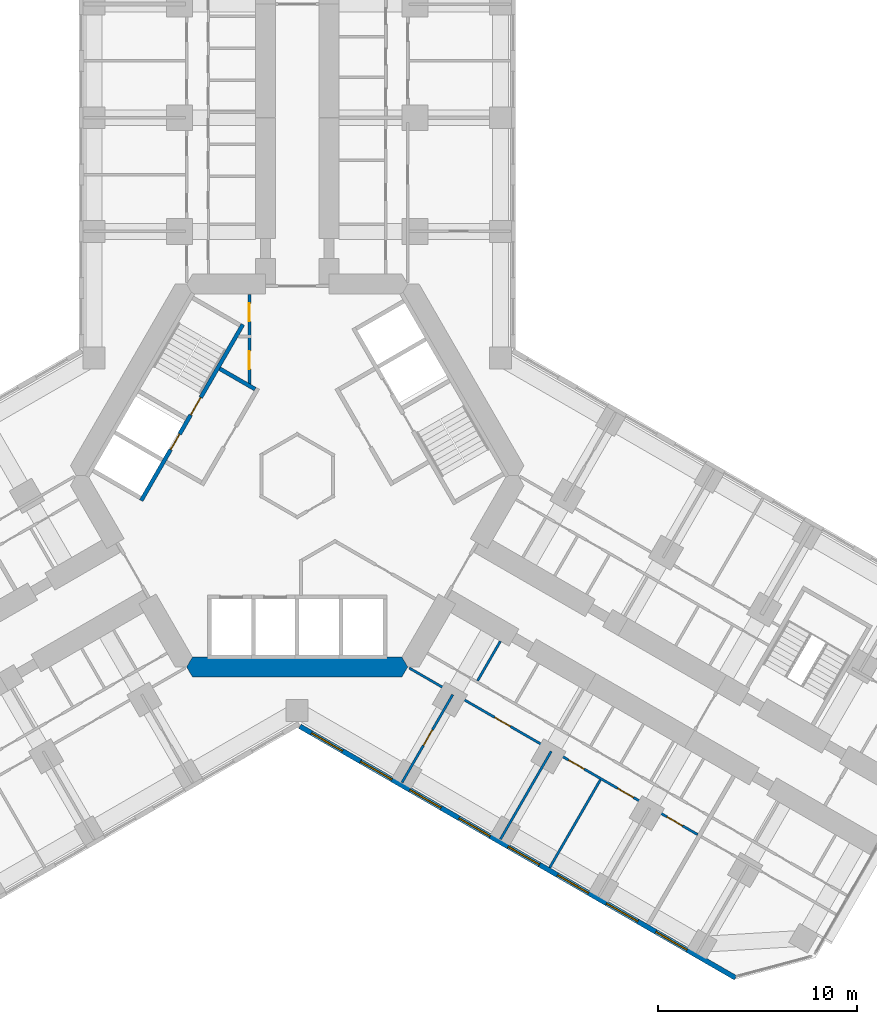
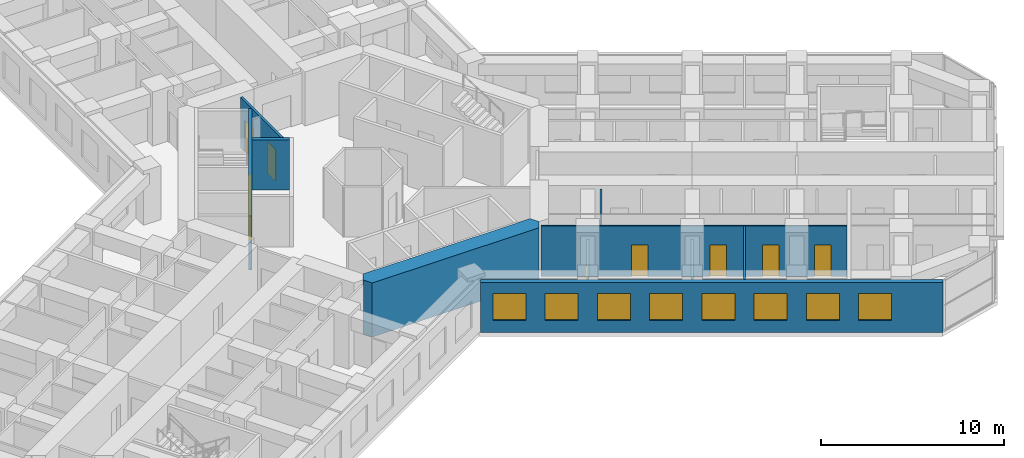
# One storey, part 13 of 21: 10 walls, 9 doors, 8 windows, 17 openings.
"""IFC4 building model written with IfcOpenShell, lengths in metres."""

from ifc_helpers import new_model, si_unit, direction, frame, frame_2d, origin, place, context, subcontext, project, spatial, polyline, rectangle, outline, extrude, material, layer, layer_set, type_object, element, fill, save


model = new_model("IFC4")

# Units and contexts
model_context = context("Model", 3, precision=1e-05, world=origin(), true_north=direction((0.0, 1.0)))
body_context = subcontext(model_context, "Body", "Model", "MODEL_VIEW")
ifc_project = project(units=[si_unit("LENGTHUNIT", "METRE"), si_unit("AREAUNIT", "SQUARE_METRE"), si_unit("VOLUMEUNIT", "CUBIC_METRE"), si_unit("PLANEANGLEUNIT", "RADIAN"), si_unit("MASSUNIT", "GRAM", prefix="KILO")], contexts=[model_context])

# Site, building, storey
site_placement = place(None, origin())
site = spatial("IfcSite", under=ifc_project, at=site_placement, CompositionType="ELEMENT")
building_placement = place(site_placement, origin())
building = spatial("IfcBuilding", under=site, at=building_placement, Name="Kosmar Iwan School Tower", CompositionType="ELEMENT")
storey_placement = place(building_placement, frame((0.0, 0.0, 43.0)))
storey = spatial("IfcBuildingStorey", under=building, at=storey_placement, Name="L09", CompositionType="ELEMENT", Elevation=43.0)

# Wall, openings, doors
ifc_material_1 = material(Name="Gypsum board on steel studs, fire-rated", Category="steel")
ifc_layer_1 = layer(ifc_material_1, 0.14990234375)
ifc_layer_set_1 = layer_set([ifc_layer_1], Name="Core room partition 150")
wall_type_1 = type_object("IfcWallType", Name="Core room partition 150", PredefinedType="PARTITIONING", material=ifc_layer_set_1)
wall_1_placement = place(storey_placement, frame((-2.39990234375, 9.094970703125, 0.0), z_axis=(0.0, 0.0, 1.0), x_axis=(0.0, -1.0, 0.0)))
wall_1 = element("IfcWall", 1, at=wall_1_placement, inside=storey, type_object=wall_type_1, Name="Core room partition L09-CW1", PredefinedType="PARTITIONING", context=body_context, shape_type="SweptSolid", body=[
    extrude(rectangle(XDim=4.564208984375, YDim=0.14990234375, at=frame_2d((2.2822265625, 0.0))), origin(), (0.0, 0.0, 1.0), 3.35009765625),
])
opening_1_placement = place(wall_1_placement, frame((0.455078125, 0.0, 0.0)))
opening_1 = element("IfcOpeningElement", 2, at=opening_1_placement, cuts=wall_1, Name="Opening D14", PredefinedType="OPENING", context=body_context, shape_type="SweptSolid", body=[
    extrude(rectangle(XDim=0.89990234375, YDim=2.10009765625, at=frame_2d((0.449951171875, 1.050048828125))), frame((0.0, 0.0869140625, 0.0), z_axis=(0.0, -1.0, 0.0), x_axis=(1.0, 0.0, 0.0)), (0.0, 0.0, 1.0), 0.173828125),
])
opening_2_placement = place(wall_1_placement, frame((2.85498046875, 0.0, 0.0)))
opening_2 = element("IfcOpeningElement", 3, at=opening_2_placement, cuts=wall_1, Name="Opening D14", PredefinedType="OPENING", context=body_context, shape_type="SweptSolid", body=[
    extrude(rectangle(XDim=0.89990234375, YDim=2.10009765625, at=frame_2d((0.449951171875, 1.050048828125))), frame((0.0, 0.0869140625, 0.0), z_axis=(0.0, -1.0, 0.0), x_axis=(1.0, 0.0, 0.0)), (0.0, 0.0, 1.0), 0.173828125),
])
ifc_material_2 = material(Name="Timber fire door in steel frame", Category="steel")
door_type_1 = type_object("IfcDoorType", Name="Core room door 900x2100", OperationType="SINGLE_SWING_LEFT", PredefinedType="DOOR", material=ifc_material_2)
door_1_placement = place(opening_1_placement, origin())
door_1 = element("IfcDoor", 4, at=door_1_placement, inside=storey, type_object=door_type_1, Name="Electrical riser and switch room door L09 1", OperationType="SINGLE_SWING_LEFT", OverallHeight=2.10009765625, OverallWidth=0.89990234375, PredefinedType="DOOR", context=body_context, shape_type="SweptSolid", body=[
    extrude(rectangle(XDim=0.89990234375, YDim=2.10009765625, at=frame_2d((0.449951171875, 1.050048828125))), frame((0.0, 0.02490234375, 0.0), z_axis=(0.0, -1.0, 0.0), x_axis=(1.0, 0.0, 0.0)), (0.0, 0.0, 1.0), 0.050048828125),
])
fill(opening_1, door_1)
door_2_placement = place(opening_2_placement, origin())
door_2 = element("IfcDoor", 5, at=door_2_placement, inside=storey, type_object=door_type_1, Name="Plumbing and wet riser door L09 2", OperationType="SINGLE_SWING_RIGHT", OverallHeight=2.10009765625, OverallWidth=0.89990234375, PredefinedType="DOOR", context=body_context, shape_type="SweptSolid", body=[
    extrude(rectangle(XDim=0.89990234375, YDim=2.10009765625, at=frame_2d((0.449951171875, 1.050048828125))), frame((0.0, 0.02490234375, 0.0), z_axis=(0.0, -1.0, 0.0), x_axis=(1.0, 0.0, 0.0)), (0.0, 0.0, 1.0), 0.050048828125),
])
fill(opening_2, door_2)

# Wall
ifc_material_3 = material(Name="Concrete C50/60", Category="concrete")
ifc_layer_2 = layer(ifc_material_3, 1.0)
ifc_layer_set_2 = layer_set([ifc_layer_2], Name="Core wall 1000")
wall_type_2 = type_object("IfcWallType", Name="Core wall 1000", PredefinedType="SHEAR", material=ifc_layer_set_2)
wall_2_placement = place(storey_placement, origin())
element("IfcWall", 6, at=wall_2_placement, inside=storey, type_object=wall_type_2, Name="Core wall F270", PredefinedType="SHEAR", context=body_context, shape_type="SweptSolid", body=[
    extrude(outline(polyline([(-5.25390625, -10.10009765625), (5.25390625, -10.10009765625), (5.54248046875, -9.60009765625), (5.25390625, -9.10009765625), (-5.25390625, -9.10009765625), (-5.54248046875, -9.60009765625), (-5.25390625, -10.10009765625)])), origin(), (0.0, 0.0, 1.0), 3.60009765625),
])

# Wall, openings, doors
ifc_material_4 = material(Name="Gypsum board on steel studs", Category="steel")
ifc_layer_3 = layer(ifc_material_4, 0.1201171875)
ifc_layer_set_3 = layer_set([ifc_layer_3], Name="Dwelling partition 120")
wall_type_3 = type_object("IfcWallType", Name="Dwelling partition 120", PredefinedType="PARTITIONING", material=ifc_layer_set_3)
wall_3_placement = place(storey_placement, frame((5.61767578125, -9.65185546875, 0.0), z_axis=(0.0, 0.0, 1.0), x_axis=(0.866026212391, -0.49999859945, 0.0)))
wall_3 = element("IfcWall", 7, at=wall_3_placement, inside=storey, type_object=wall_type_3, Name="Partition L09-CR1-W2", PredefinedType="PARTITIONING", context=body_context, shape_type="SweptSolid", body=[
    extrude(rectangle(XDim=16.708984375, YDim=0.1201171875, at=frame_2d((8.3544921875, 0.0))), origin(), (0.0, 0.0, 1.0), 3.35009765625),
])
opening_3_placement = place(wall_3_placement, frame((4.958984375, 0.0, 0.0)))
opening_3 = element("IfcOpeningElement", 8, at=opening_3_placement, cuts=wall_3, Name="Opening D2", PredefinedType="OPENING", context=body_context, shape_type="SweptSolid", body=[
    extrude(rectangle(XDim=0.89990234375, YDim=2.10009765625, at=frame_2d((0.449951171875, 1.050048828125))), frame((0.0, 0.072021484375, 0.0), z_axis=(0.0, -1.0, 0.0), x_axis=(1.0, 0.0, 0.0)), (0.0, 0.0, 1.0), 0.14404296875),
])
opening_4_placement = place(wall_3_placement, frame((9.23388671875, 0.0, 0.0)))
opening_4 = element("IfcOpeningElement", 9, at=opening_4_placement, cuts=wall_3, Name="Opening D2", PredefinedType="OPENING", context=body_context, shape_type="SweptSolid", body=[
    extrude(rectangle(XDim=0.89990234375, YDim=2.10009765625, at=frame_2d((0.449951171875, 1.050048828125))), frame((0.0, 0.072021484375, 0.0), z_axis=(0.0, -1.0, 0.0), x_axis=(1.0, 0.0, 0.0)), (0.0, 0.0, 1.0), 0.14404296875),
])
opening_5_placement = place(wall_3_placement, frame((12.083984375, 0.0, 0.0)))
opening_5 = element("IfcOpeningElement", 10, at=opening_5_placement, cuts=wall_3, Name="Opening D2", PredefinedType="OPENING", context=body_context, shape_type="SweptSolid", body=[
    extrude(rectangle(XDim=0.89990234375, YDim=2.10009765625, at=frame_2d((0.449951171875, 1.050048828125))), frame((0.0, 0.072021484375, 0.0), z_axis=(0.0, -1.0, 0.0), x_axis=(1.0, 0.0, 0.0)), (0.0, 0.0, 1.0), 0.14404296875),
])
opening_6_placement = place(wall_3_placement, frame((14.93408203125, 0.0, 0.0)))
opening_6 = element("IfcOpeningElement", 11, at=opening_6_placement, cuts=wall_3, Name="Opening D2", PredefinedType="OPENING", context=body_context, shape_type="SweptSolid", body=[
    extrude(rectangle(XDim=0.89990234375, YDim=2.10009765625, at=frame_2d((0.449951171875, 1.050048828125))), frame((0.0, 0.072021484375, 0.0), z_axis=(0.0, -1.0, 0.0), x_axis=(1.0, 0.0, 0.0)), (0.0, 0.0, 1.0), 0.14404296875),
])
ifc_material_5 = material(Name="Timber door in timber frame", Category="wood")
door_type_2 = type_object("IfcDoorType", Name="Internal door 900x2100", OperationType="SINGLE_SWING_LEFT", PredefinedType="DOOR", material=ifc_material_5)
door_3_placement = place(opening_3_placement, origin())
door_3 = element("IfcDoor", 12, at=door_3_placement, inside=storey, type_object=door_type_2, Name="Living room door L09-CR1-F2", OperationType="SINGLE_SWING_LEFT", OverallHeight=2.10009765625, OverallWidth=0.89990234375, PredefinedType="DOOR", context=body_context, shape_type="SweptSolid", body=[
    extrude(rectangle(XDim=0.89990234375, YDim=2.10009765625, at=frame_2d((0.449951171875, 1.050048828125))), frame((0.0, 0.02490234375, 0.0), z_axis=(0.0, -1.0, 0.0), x_axis=(1.0, 0.0, 0.0)), (0.0, 0.0, 1.0), 0.050048828125),
])
fill(opening_3, door_3)
door_4_placement = place(opening_4_placement, origin())
door_4 = element("IfcDoor", 13, at=door_4_placement, inside=storey, type_object=door_type_2, Name="Study door L09-CR1-F3", OperationType="SINGLE_SWING_RIGHT", OverallHeight=2.10009765625, OverallWidth=0.89990234375, PredefinedType="DOOR", context=body_context, shape_type="SweptSolid", body=[
    extrude(rectangle(XDim=0.89990234375, YDim=2.10009765625, at=frame_2d((0.449951171875, 1.050048828125))), frame((0.0, 0.02490234375, 0.0), z_axis=(0.0, -1.0, 0.0), x_axis=(1.0, 0.0, 0.0)), (0.0, 0.0, 1.0), 0.050048828125),
])
fill(opening_4, door_4)
door_5_placement = place(opening_5_placement, origin())
door_5 = element("IfcDoor", 14, at=door_5_placement, inside=storey, type_object=door_type_2, Name="Bedroom 1 door L09-CR1-F4", OperationType="SINGLE_SWING_RIGHT", OverallHeight=2.10009765625, OverallWidth=0.89990234375, PredefinedType="DOOR", context=body_context, shape_type="SweptSolid", body=[
    extrude(rectangle(XDim=0.89990234375, YDim=2.10009765625, at=frame_2d((0.449951171875, 1.050048828125))), frame((0.0, 0.02490234375, 0.0), z_axis=(0.0, -1.0, 0.0), x_axis=(1.0, 0.0, 0.0)), (0.0, 0.0, 1.0), 0.050048828125),
])
fill(opening_5, door_5)
door_6_placement = place(opening_6_placement, origin())
door_6 = element("IfcDoor", 15, at=door_6_placement, inside=storey, type_object=door_type_2, Name="Bedroom 2 door L09-CR1-F5", OperationType="SINGLE_SWING_RIGHT", OverallHeight=2.10009765625, OverallWidth=0.89990234375, PredefinedType="DOOR", context=body_context, shape_type="SweptSolid", body=[
    extrude(rectangle(XDim=0.89990234375, YDim=2.10009765625, at=frame_2d((0.449951171875, 1.050048828125))), frame((0.0, 0.02490234375, 0.0), z_axis=(0.0, -1.0, 0.0), x_axis=(1.0, 0.0, 0.0)), (0.0, 0.0, 1.0), 0.050048828125),
])
fill(opening_6, door_6)

# Wall, opening, door
wall_4_placement = place(storey_placement, frame((7.8037109375, -10.9833984375, 0.0), z_axis=(0.0, 0.0, 1.0), x_axis=(-0.499997873537, -0.866026631495, 0.0)))
wall_4 = element("IfcWall", 16, at=wall_4_placement, inside=storey, type_object=wall_type_3, Name="Partition L09-CR1-X1", PredefinedType="PARTITIONING", context=body_context, shape_type="SweptSolid", body=[
    extrude(rectangle(XDim=5.08984375, YDim=0.1201171875, at=frame_2d((2.544921875, 0.0))), origin(), (0.0, 0.0, 1.0), 2.449951171875),
])
opening_7_placement = place(wall_4_placement, frame((2.0400390625, 0.0, 0.0)))
opening_7 = element("IfcOpeningElement", 17, at=opening_7_placement, cuts=wall_4, Name="Opening D2", PredefinedType="OPENING", context=body_context, shape_type="SweptSolid", body=[
    extrude(rectangle(XDim=0.89990234375, YDim=2.10009765625, at=frame_2d((0.449951171875, 1.050048828125))), frame((0.0, 0.072021484375, 0.0), z_axis=(0.0, -1.0, 0.0), x_axis=(1.0, 0.0, 0.0)), (0.0, 0.0, 1.0), 0.14404296875),
])
door_7_placement = place(opening_7_placement, origin())
door_7 = element("IfcDoor", 18, at=door_7_placement, inside=storey, type_object=door_type_2, Name="Kitchen and dining room door L09-CR1-F1", OperationType="SINGLE_SWING_LEFT", OverallHeight=2.10009765625, OverallWidth=0.89990234375, PredefinedType="DOOR", context=body_context, shape_type="SweptSolid", body=[
    extrude(rectangle(XDim=0.89990234375, YDim=2.10009765625, at=frame_2d((0.449951171875, 1.050048828125))), frame((0.0, 0.02490234375, 0.0), z_axis=(0.0, -1.0, 0.0), x_axis=(1.0, 0.0, 0.0)), (0.0, 0.0, 1.0), 0.050048828125),
])
fill(opening_7, door_7)

# Walls
wall_5_placement = place(storey_placement, frame((12.740234375, -13.83349609375, 0.0), z_axis=(0.0, 0.0, 1.0), x_axis=(-0.500033846865, -0.866005861406, 0.0)))
element("IfcWall", 19, at=wall_5_placement, inside=storey, type_object=wall_type_3, Name="Partition L09-CR1-X2", PredefinedType="PARTITIONING", context=body_context, shape_type="SweptSolid", body=[
    extrude(rectangle(XDim=5.090087890625, YDim=0.1201171875, at=frame_2d((2.544921875, 0.0))), origin(), (0.0, 0.0, 1.0), 2.449951171875),
])
wall_6_placement = place(storey_placement, frame((15.208251953125, -15.25830078125, 0.0), z_axis=(0.0, 0.0, 1.0), x_axis=(-0.499977104415, -0.866038622153, 0.0)))
element("IfcWall", 20, at=wall_6_placement, inside=storey, type_object=wall_type_3, Name="Partition L09-CR1-X3", PredefinedType="PARTITIONING", context=body_context, shape_type="SweptSolid", body=[
    extrude(rectangle(XDim=5.090087890625, YDim=0.1201171875, at=frame_2d((2.544921875, 0.0))), origin(), (0.0, 0.0, 1.0), 3.35009765625),
])
wall_7_placement = place(storey_placement, frame((10.19091796875, -8.30859375, 0.0), z_axis=(0.0, 0.0, 1.0), x_axis=(-0.500014693593, -0.866016920268, 0.0)))
element("IfcWall", 21, at=wall_7_placement, inside=storey, type_object=wall_type_3, Name="Partition L09-CR1-Y1", PredefinedType="PARTITIONING", context=body_context, shape_type="SweptSolid", body=[
    extrude(rectangle(XDim=2.2900390625, YDim=0.1201171875, at=frame_2d((1.14501953125, 0.0))), origin(), (0.0, 0.0, 1.0), 3.35009765625),
])

# Wall, openings, windows
ifc_material_6 = material(Name="Black aluminium rainscreen on insulated framing", Category="aluminium")
ifc_layer_4 = layer(ifc_material_6, 0.25)
ifc_layer_set_4 = layer_set([ifc_layer_4], Name="External wall rainscreen 250")
wall_type_4 = type_object("IfcWallType", Name="External wall rainscreen 250", PredefinedType="SOLIDWALL", material=ifc_layer_set_4)
wall_8_placement = place(storey_placement, frame((0.137939453125, -12.5791015625, 0.0), z_axis=(0.0, 0.0, 1.0), x_axis=(0.866023775649, -0.500002820003, 0.0)))
wall_8 = element("IfcWall", 22, at=wall_8_placement, inside=storey, type_object=wall_type_4, Name="External wall CR L09", PredefinedType="SOLIDWALL", context=body_context, shape_type="SweptSolid", body=[
    extrude(rectangle(XDim=25.226318359375, YDim=0.25, at=frame_2d((12.61328125, 0.0))), origin(), (0.0, 0.0, 1.0), 3.35009765625),
])
opening_8_placement = place(wall_8_placement, frame((0.666015625, 0.0, 0.800048828125)))
opening_8 = element("IfcOpeningElement", 23, at=opening_8_placement, cuts=wall_8, Name="Opening W1", PredefinedType="OPENING", context=body_context, shape_type="SweptSolid", body=[
    extrude(rectangle(XDim=1.800048828125, YDim=1.800048828125, at=frame_2d((0.89990234375, 0.89990234375))), frame((0.0, 0.136962890625, 0.0), z_axis=(0.0, -1.0, 0.0), x_axis=(1.0, 0.0, 0.0)), (0.0, 0.0, 1.0), 0.27392578125),
])
opening_9_placement = place(wall_8_placement, frame((3.51611328125, 0.0, 0.800048828125)))
opening_9 = element("IfcOpeningElement", 24, at=opening_9_placement, cuts=wall_8, Name="Opening W1", PredefinedType="OPENING", context=body_context, shape_type="SweptSolid", body=[
    extrude(rectangle(XDim=1.800048828125, YDim=1.800048828125, at=frame_2d((0.89990234375, 0.89990234375))), frame((0.0, 0.136962890625, 0.0), z_axis=(0.0, -1.0, 0.0), x_axis=(1.0, 0.0, 0.0)), (0.0, 0.0, 1.0), 0.27392578125),
])
opening_10_placement = place(wall_8_placement, frame((6.365966796875, 0.0, 0.800048828125)))
opening_10 = element("IfcOpeningElement", 25, at=opening_10_placement, cuts=wall_8, Name="Opening W1", PredefinedType="OPENING", context=body_context, shape_type="SweptSolid", body=[
    extrude(rectangle(XDim=1.800048828125, YDim=1.800048828125, at=frame_2d((0.89990234375, 0.89990234375))), frame((0.0, 0.136962890625, 0.0), z_axis=(0.0, -1.0, 0.0), x_axis=(1.0, 0.0, 0.0)), (0.0, 0.0, 1.0), 0.27392578125),
])
opening_11_placement = place(wall_8_placement, frame((9.216064453125, 0.0, 0.800048828125)))
opening_11 = element("IfcOpeningElement", 26, at=opening_11_placement, cuts=wall_8, Name="Opening W1", PredefinedType="OPENING", context=body_context, shape_type="SweptSolid", body=[
    extrude(rectangle(XDim=1.800048828125, YDim=1.800048828125, at=frame_2d((0.89990234375, 0.89990234375))), frame((0.0, 0.136962890625, 0.0), z_axis=(0.0, -1.0, 0.0), x_axis=(1.0, 0.0, 0.0)), (0.0, 0.0, 1.0), 0.27392578125),
])
opening_12_placement = place(wall_8_placement, frame((12.06591796875, 0.0, 0.800048828125)))
opening_12 = element("IfcOpeningElement", 27, at=opening_12_placement, cuts=wall_8, Name="Opening W1", PredefinedType="OPENING", context=body_context, shape_type="SweptSolid", body=[
    extrude(rectangle(XDim=1.800048828125, YDim=1.800048828125, at=frame_2d((0.89990234375, 0.89990234375))), frame((0.0, 0.136962890625, 0.0), z_axis=(0.0, -1.0, 0.0), x_axis=(1.0, 0.0, 0.0)), (0.0, 0.0, 1.0), 0.27392578125),
])
opening_13_placement = place(wall_8_placement, frame((14.916015625, 0.0, 0.800048828125)))
opening_13 = element("IfcOpeningElement", 28, at=opening_13_placement, cuts=wall_8, Name="Opening W1", PredefinedType="OPENING", context=body_context, shape_type="SweptSolid", body=[
    extrude(rectangle(XDim=1.800048828125, YDim=1.800048828125, at=frame_2d((0.89990234375, 0.89990234375))), frame((0.0, 0.136962890625, 0.0), z_axis=(0.0, -1.0, 0.0), x_axis=(1.0, 0.0, 0.0)), (0.0, 0.0, 1.0), 0.27392578125),
])
opening_14_placement = place(wall_8_placement, frame((17.76611328125, 0.0, 0.800048828125)))
opening_14 = element("IfcOpeningElement", 29, at=opening_14_placement, cuts=wall_8, Name="Opening W1", PredefinedType="OPENING", context=body_context, shape_type="SweptSolid", body=[
    extrude(rectangle(XDim=1.800048828125, YDim=1.800048828125, at=frame_2d((0.89990234375, 0.89990234375))), frame((0.0, 0.136962890625, 0.0), z_axis=(0.0, -1.0, 0.0), x_axis=(1.0, 0.0, 0.0)), (0.0, 0.0, 1.0), 0.27392578125),
])
opening_15_placement = place(wall_8_placement, frame((20.615966796875, 0.0, 0.800048828125)))
opening_15 = element("IfcOpeningElement", 30, at=opening_15_placement, cuts=wall_8, Name="Opening W1", PredefinedType="OPENING", context=body_context, shape_type="SweptSolid", body=[
    extrude(rectangle(XDim=1.800048828125, YDim=1.800048828125, at=frame_2d((0.89990234375, 0.89990234375))), frame((0.0, 0.136962890625, 0.0), z_axis=(0.0, -1.0, 0.0), x_axis=(1.0, 0.0, 0.0)), (0.0, 0.0, 1.0), 0.27392578125),
])
ifc_material_7 = material(Name="Black aluminium frame with dark triple glazing", Category="aluminium")
window_type = type_object("IfcWindowType", Name="Window 1800x1800", PartitioningType="SINGLE_PANEL", PredefinedType="WINDOW", material=ifc_material_7)
window_1_placement = place(opening_8_placement, origin())
window_1 = element("IfcWindow", 31, at=window_1_placement, inside=storey, type_object=window_type, Name="Window CR L09 -1", OverallHeight=1.800048828125, OverallWidth=1.800048828125, PartitioningType="SINGLE_PANEL", PredefinedType="WINDOW", context=body_context, shape_type="SweptSolid", body=[
    extrude(rectangle(XDim=1.800048828125, YDim=1.800048828125, at=frame_2d((0.89990234375, 0.89990234375))), frame((0.0, 0.030029296875, 0.0), z_axis=(0.0, -1.0, 0.0), x_axis=(1.0, 0.0, 0.0)), (0.0, 0.0, 1.0), 0.06005859375),
])
fill(opening_8, window_1)
window_2_placement = place(opening_9_placement, origin())
window_2 = element("IfcWindow", 32, at=window_2_placement, inside=storey, type_object=window_type, Name="Window CR L09 0", OverallHeight=1.800048828125, OverallWidth=1.800048828125, PartitioningType="SINGLE_PANEL", PredefinedType="WINDOW", context=body_context, shape_type="SweptSolid", body=[
    extrude(rectangle(XDim=1.800048828125, YDim=1.800048828125, at=frame_2d((0.89990234375, 0.89990234375))), frame((0.0, 0.030029296875, 0.0), z_axis=(0.0, -1.0, 0.0), x_axis=(1.0, 0.0, 0.0)), (0.0, 0.0, 1.0), 0.06005859375),
])
fill(opening_9, window_2)
window_3_placement = place(opening_10_placement, origin())
window_3 = element("IfcWindow", 33, at=window_3_placement, inside=storey, type_object=window_type, Name="Window CR L09 1", OverallHeight=1.800048828125, OverallWidth=1.800048828125, PartitioningType="SINGLE_PANEL", PredefinedType="WINDOW", context=body_context, shape_type="SweptSolid", body=[
    extrude(rectangle(XDim=1.800048828125, YDim=1.800048828125, at=frame_2d((0.89990234375, 0.89990234375))), frame((0.0, 0.030029296875, 0.0), z_axis=(0.0, -1.0, 0.0), x_axis=(1.0, 0.0, 0.0)), (0.0, 0.0, 1.0), 0.06005859375),
])
fill(opening_10, window_3)
window_4_placement = place(opening_11_placement, origin())
window_4 = element("IfcWindow", 34, at=window_4_placement, inside=storey, type_object=window_type, Name="Window CR L09 2", OverallHeight=1.800048828125, OverallWidth=1.800048828125, PartitioningType="SINGLE_PANEL", PredefinedType="WINDOW", context=body_context, shape_type="SweptSolid", body=[
    extrude(rectangle(XDim=1.800048828125, YDim=1.800048828125, at=frame_2d((0.89990234375, 0.89990234375))), frame((0.0, 0.030029296875, 0.0), z_axis=(0.0, -1.0, 0.0), x_axis=(1.0, 0.0, 0.0)), (0.0, 0.0, 1.0), 0.06005859375),
])
fill(opening_11, window_4)
window_5_placement = place(opening_12_placement, origin())
window_5 = element("IfcWindow", 35, at=window_5_placement, inside=storey, type_object=window_type, Name="Window CR L09 3", OverallHeight=1.800048828125, OverallWidth=1.800048828125, PartitioningType="SINGLE_PANEL", PredefinedType="WINDOW", context=body_context, shape_type="SweptSolid", body=[
    extrude(rectangle(XDim=1.800048828125, YDim=1.800048828125, at=frame_2d((0.89990234375, 0.89990234375))), frame((0.0, 0.030029296875, 0.0), z_axis=(0.0, -1.0, 0.0), x_axis=(1.0, 0.0, 0.0)), (0.0, 0.0, 1.0), 0.06005859375),
])
fill(opening_12, window_5)
window_6_placement = place(opening_13_placement, origin())
window_6 = element("IfcWindow", 36, at=window_6_placement, inside=storey, type_object=window_type, Name="Window CR L09 4", OverallHeight=1.800048828125, OverallWidth=1.800048828125, PartitioningType="SINGLE_PANEL", PredefinedType="WINDOW", context=body_context, shape_type="SweptSolid", body=[
    extrude(rectangle(XDim=1.800048828125, YDim=1.800048828125, at=frame_2d((0.89990234375, 0.89990234375))), frame((0.0, 0.030029296875, 0.0), z_axis=(0.0, -1.0, 0.0), x_axis=(1.0, 0.0, 0.0)), (0.0, 0.0, 1.0), 0.06005859375),
])
fill(opening_13, window_6)
window_7_placement = place(opening_14_placement, origin())
window_7 = element("IfcWindow", 37, at=window_7_placement, inside=storey, type_object=window_type, Name="Window CR L09 5", OverallHeight=1.800048828125, OverallWidth=1.800048828125, PartitioningType="SINGLE_PANEL", PredefinedType="WINDOW", context=body_context, shape_type="SweptSolid", body=[
    extrude(rectangle(XDim=1.800048828125, YDim=1.800048828125, at=frame_2d((0.89990234375, 0.89990234375))), frame((0.0, 0.030029296875, 0.0), z_axis=(0.0, -1.0, 0.0), x_axis=(1.0, 0.0, 0.0)), (0.0, 0.0, 1.0), 0.06005859375),
])
fill(opening_14, window_7)
window_8_placement = place(opening_15_placement, origin())
window_8 = element("IfcWindow", 38, at=window_8_placement, inside=storey, type_object=window_type, Name="Window CR L09 6", OverallHeight=1.800048828125, OverallWidth=1.800048828125, PartitioningType="SINGLE_PANEL", PredefinedType="WINDOW", context=body_context, shape_type="SweptSolid", body=[
    extrude(rectangle(XDim=1.800048828125, YDim=1.800048828125, at=frame_2d((0.89990234375, 0.89990234375))), frame((0.0, 0.030029296875, 0.0), z_axis=(0.0, -1.0, 0.0), x_axis=(1.0, 0.0, 0.0)), (0.0, 0.0, 1.0), 0.06005859375),
])
fill(opening_15, window_8)

# Wall
ifc_material_8 = material(Name="Concrete block masonry", Category="masonry")
ifc_layer_5 = layer(ifc_material_8, 0.199951171875)
ifc_layer_set_5 = layer_set([ifc_layer_5], Name="Fire lobby wall 200")
wall_type_5 = type_object("IfcWallType", Name="Fire lobby wall 200", PredefinedType="PARTITIONING", material=ifc_layer_set_5)
wall_9_placement = place(storey_placement, frame((-2.114013671875, 4.33837890625, 0.0), z_axis=(0.0, 0.0, 1.0), x_axis=(-0.866050731258, 0.499956128963, 0.0)))
element("IfcWall", 39, at=wall_9_placement, inside=storey, type_object=wall_type_5, Name="Firefighting lobby wall ST2", PredefinedType="PARTITIONING", context=body_context, shape_type="SweptSolid", body=[
    extrude(rectangle(XDim=2.050048828125, YDim=0.199951171875, at=frame_2d((1.02490234375, 0.0))), origin(), (0.0, 0.0, 1.0), 3.35009765625),
])

# Wall, openings, doors
ifc_material_9 = material(Name="Concrete C50/60", Category="concrete")
ifc_layer_6 = layer(ifc_material_9, 0.199951171875)
ifc_layer_set_6 = layer_set([ifc_layer_6], Name="Lift shaft wall 200")
wall_type_6 = type_object("IfcWallType", Name="Lift shaft wall 200", PredefinedType="SHEAR", material=ifc_layer_set_6)
wall_10_placement = place(storey_placement, frame((-2.72607421875, 7.578369140625, 0.0), z_axis=(0.0, 0.0, 1.0), x_axis=(-0.500005610874, -0.86602216432, 0.0)))
wall_10 = element("IfcWall", 40, at=wall_10_placement, inside=storey, type_object=wall_type_6, Name="Lift and stair front wall AB", PredefinedType="SHEAR", context=body_context, shape_type="SweptSolid", body=[
    extrude(rectangle(XDim=10.2001953125, YDim=0.199951171875, at=frame_2d((5.10009765625, 0.0))), origin(), (0.0, 0.0, 1.0), 3.60009765625),
])
opening_16_placement = place(wall_10_placement, frame((6.35009765625, 0.0, 0.0)))
opening_16 = element("IfcOpeningElement", 41, at=opening_16_placement, cuts=wall_10, Name="Opening LD2", PredefinedType="OPENING", context=body_context, shape_type="SweptSolid", body=[
    extrude(rectangle(XDim=0.89990234375, YDim=2.10009765625, at=frame_2d((0.449951171875, 1.050048828125))), frame((0.0, 0.112060546875, 0.0), z_axis=(0.0, -1.0, 0.0), x_axis=(1.0, 0.0, 0.0)), (0.0, 0.0, 1.0), 0.223876953125),
])
opening_17_placement = place(wall_10_placement, frame((4.22998046875, 0.0, 0.0)))
opening_17 = element("IfcOpeningElement", 42, at=opening_17_placement, cuts=wall_10, Name="Opening D6", PredefinedType="OPENING", context=body_context, shape_type="SweptSolid", body=[
    extrude(rectangle(XDim=1.0, YDim=2.10009765625, at=frame_2d((0.5, 1.050048828125))), frame((0.0, 0.112060546875, 0.0), z_axis=(0.0, -1.0, 0.0), x_axis=(1.0, 0.0, 0.0)), (0.0, 0.0, 1.0), 0.223876953125),
])
ifc_material_10 = material(Name="Stainless steel sliding lift door", Category="steel")
door_type_3 = type_object("IfcDoorType", Name="Firefighting lift landing door 900x2100", OperationType="SLIDING_TO_LEFT", PredefinedType="DOOR", material=ifc_material_10)
door_8_placement = place(opening_16_placement, origin())
door_8 = element("IfcDoor", 43, at=door_8_placement, inside=storey, type_object=door_type_3, Name="Lift FF2 landing door L09", OperationType="SLIDING_TO_LEFT", OverallHeight=2.10009765625, OverallWidth=0.89990234375, PredefinedType="DOOR", context=body_context, shape_type="SweptSolid", body=[
    extrude(rectangle(XDim=0.89990234375, YDim=2.10009765625, at=frame_2d((0.449951171875, 1.050048828125))), frame((0.0, 0.02490234375, 0.0), z_axis=(0.0, -1.0, 0.0), x_axis=(1.0, 0.0, 0.0)), (0.0, 0.0, 1.0), 0.050048828125),
])
fill(opening_16, door_8)
ifc_material_11 = material(Name="Steel fire door", Category="steel")
door_type_4 = type_object("IfcDoorType", Name="Stair door 1000x2100", OperationType="SINGLE_SWING_LEFT", PredefinedType="DOOR", material=ifc_material_11)
door_9_placement = place(opening_17_placement, origin())
door_9 = element("IfcDoor", 44, at=door_9_placement, inside=storey, type_object=door_type_4, Name="Stair ST2 door L09", OperationType="SINGLE_SWING_LEFT", OverallHeight=2.10009765625, OverallWidth=1.0, PredefinedType="DOOR", context=body_context, shape_type="SweptSolid", body=[
    extrude(rectangle(XDim=1.0, YDim=2.10009765625, at=frame_2d((0.5, 1.050048828125))), frame((0.0, 0.02490234375, 0.0), z_axis=(0.0, -1.0, 0.0), x_axis=(1.0, 0.0, 0.0)), (0.0, 0.0, 1.0), 0.050048828125),
])
fill(opening_17, door_9)

save(model, "model.ifc")
